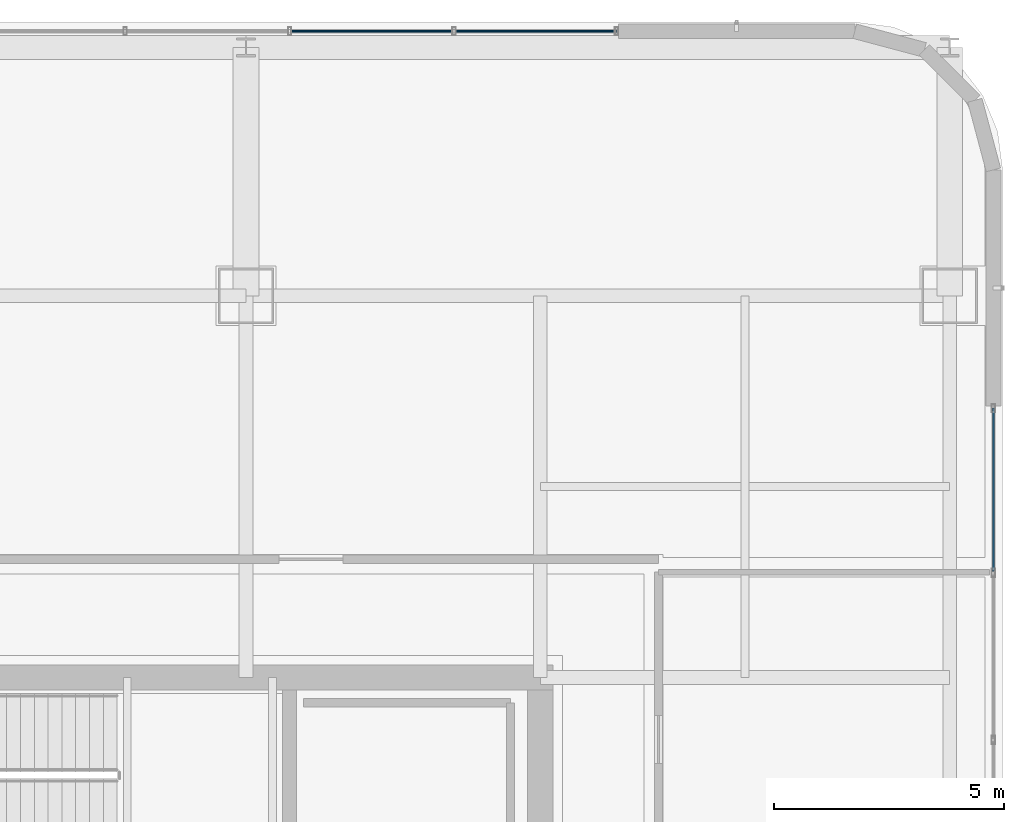
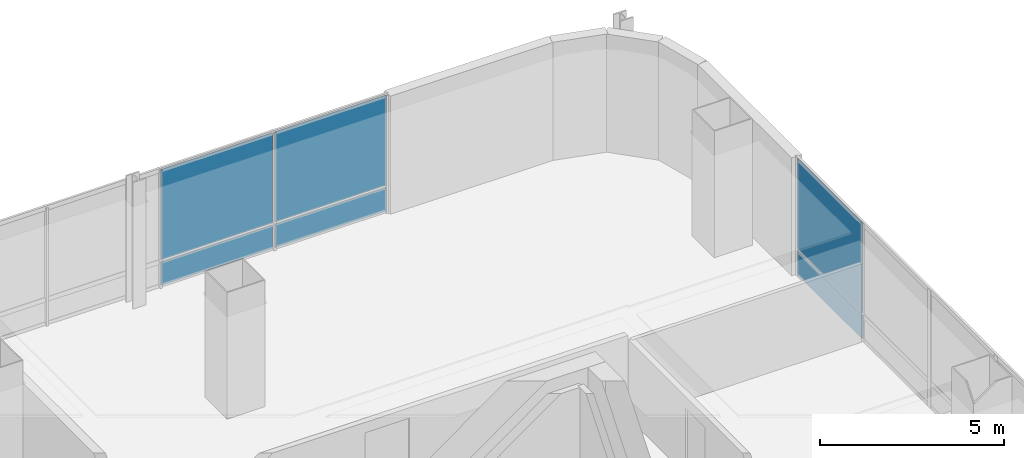
# One storey, part 31 of 51: 6 plates, 2 elements without a shape of their own.
"""IFC4 building model written with IfcOpenShell, lengths in metres."""

from ifc_helpers import new_model, si_unit, direction, frame, origin, origin_2d, place, context, subcontext, project, spatial, rectangle, extrude, material, layer, layer_set, type_object, element, aggregate, save


model = new_model("IFC4")

# Units and contexts
model_context = context("Model", 3, precision=1e-05, world=origin(), true_north=direction((0.0, 1.0)))
body_context = subcontext(model_context, "Body", "Model", "MODEL_VIEW")
ifc_project = project(units=[si_unit("LENGTHUNIT", "METRE"), si_unit("AREAUNIT", "SQUARE_METRE"), si_unit("VOLUMEUNIT", "CUBIC_METRE"), si_unit("PLANEANGLEUNIT", "RADIAN"), si_unit("MASSUNIT", "GRAM", prefix="KILO")], contexts=[model_context])

# Site, building, storey
site_placement = place(None, origin())
site = spatial("IfcSite", under=ifc_project, at=site_placement, CompositionType="ELEMENT")
building_placement = place(site_placement, origin())
building = spatial("IfcBuilding", under=site, at=building_placement, Name="Punatoya Terracotta Tower", CompositionType="ELEMENT")
storey_placement = place(building_placement, frame((0.0, 0.0, 313.199951171875)))
storey = spatial("IfcBuildingStorey", under=building, at=storey_placement, Name="L74", CompositionType="ELEMENT", Elevation=313.199951171875)

# Curtain wall, plate
ifc_material_1 = material(Name="Aluminium 6063-T6 + Double Low-E Glass", Category="aluminium")
curtain_wall_type = type_object("IfcCurtainWallType", Name="CW-M3", PredefinedType="NOTDEFINED", material=ifc_material_1)
curtain_wall_1_placement = place(storey_placement, origin())
curtain_wall_1 = element("IfcCurtainWall", 1, at=curtain_wall_1_placement, inside=storey, type_object=curtain_wall_type, Name="L74 Curtain Wall CW-L74-E05-1", PredefinedType="NOTDEFINED")
ifc_material_2 = material(Name="Double Low-E Acoustic Vision Glass", Category="glass")
ifc_layer_1 = layer(ifc_material_2, 0.031982421875)
ifc_layer_set_1 = layer_set([ifc_layer_1], Name="Double Low-E Acoustic Vision Glass")
plate_type_1 = type_object("IfcPlateType", Name="PLT-GLZ-32", PredefinedType="CURTAIN_PANEL", material=ifc_layer_set_1)
plate_1_placement = place(storey_placement, frame((20.050048828125, 13.28564453125, 0.89013671875), z_axis=(0.0, 0.0, 1.0), x_axis=(0.0, 1.0, 0.0)))
plate_1 = element("IfcPlate", 2, at=plate_1_placement, type_object=plate_type_1, Name="CW-L74-E05-1 Vision Glass Panel 7", PredefinedType="CURTAIN_PANEL", context=body_context, shape_type="SweptSolid", body=[
    extrude(rectangle(XDim=3.543701171875, YDim=0.031982421875, at=origin_2d()), origin(), (0.0, 0.0, 1.0), 2.989990234375),
])

# Curtain wall, plates
curtain_wall_2_placement = place(storey_placement, origin())
curtain_wall_2 = element("IfcCurtainWall", 3, at=curtain_wall_2_placement, inside=storey, type_object=curtain_wall_type, Name="L74 Curtain Wall CW-L74-N09-1", PredefinedType="NOTDEFINED")
plate_2_placement = place(storey_placement, frame((10.112548828125, 23.25, 0.89013671875), z_axis=(0.0, 0.0, 1.0), x_axis=(-1.0, 0.0, 0.0)))
plate_2 = element("IfcPlate", 4, at=plate_2_placement, type_object=plate_type_1, Name="CW-L74-N09-1 Vision Glass Panel 1", PredefinedType="CURTAIN_PANEL", context=body_context, shape_type="SweptSolid", body=[
    extrude(rectangle(XDim=3.489990234375, YDim=0.031982421875, at=origin_2d()), origin(), (0.0, 0.0, 1.0), 2.989990234375),
])
plate_3_placement = place(storey_placement, frame((6.53759765625, 23.25, 0.89013671875), z_axis=(0.0, 0.0, 1.0), x_axis=(-1.0, 0.0, 0.0)))
plate_3 = element("IfcPlate", 5, at=plate_3_placement, type_object=plate_type_1, Name="CW-L74-N09-1 Vision Glass Panel 2", PredefinedType="CURTAIN_PANEL", context=body_context, shape_type="SweptSolid", body=[
    extrude(rectangle(XDim=3.489990234375, YDim=0.031982421875, at=origin_2d()), origin(), (0.0, 0.0, 1.0), 2.989990234375),
])

# Plate
ifc_material_3 = material(Name="Insulated Terracotta-Backed Spandrel Panel", Category="masonry")
ifc_layer_2 = layer(ifc_material_3, 0.044921875)
ifc_layer_set_2 = layer_set([ifc_layer_2], Name="Insulated Terracotta-Backed Spandrel Panel")
plate_type_2 = type_object("IfcPlateType", Name="PLT-SPN-45", PredefinedType="CURTAIN_PANEL", material=ifc_layer_set_2)
plate_4_placement = place(storey_placement, frame((20.050048828125, 13.28564453125, 0.0400390625), z_axis=(0.0, 0.0, 1.0), x_axis=(0.0, 1.0, 0.0)))
plate_4 = element("IfcPlate", 6, at=plate_4_placement, type_object=plate_type_2, Name="CW-L74-E05-1 Terracotta Spandrel Panel 7", PredefinedType="CURTAIN_PANEL", context=body_context, shape_type="SweptSolid", body=[
    extrude(rectangle(XDim=3.543701171875, YDim=0.044921875, at=origin_2d()), origin(), (0.0, 0.0, 1.0), 0.77490234375),
])

aggregate(curtain_wall_1, [plate_4, plate_1])

plate_5_placement = place(storey_placement, frame((10.112548828125, 23.25, 0.0400390625), z_axis=(0.0, 0.0, 1.0), x_axis=(-1.0, 0.0, 0.0)))
plate_5 = element("IfcPlate", 7, at=plate_5_placement, type_object=plate_type_2, Name="CW-L74-N09-1 Terracotta Spandrel Panel 1", PredefinedType="CURTAIN_PANEL", context=body_context, shape_type="SweptSolid", body=[
    extrude(rectangle(XDim=3.489990234375, YDim=0.044921875, at=origin_2d()), origin(), (0.0, 0.0, 1.0), 0.77490234375),
])

plate_6_placement = place(storey_placement, frame((6.53759765625, 23.25, 0.0400390625), z_axis=(0.0, 0.0, 1.0), x_axis=(-1.0, 0.0, 0.0)))
plate_6 = element("IfcPlate", 8, at=plate_6_placement, type_object=plate_type_2, Name="CW-L74-N09-1 Terracotta Spandrel Panel 2", PredefinedType="CURTAIN_PANEL", context=body_context, shape_type="SweptSolid", body=[
    extrude(rectangle(XDim=3.489990234375, YDim=0.044921875, at=origin_2d()), origin(), (0.0, 0.0, 1.0), 0.77490234375),
])

aggregate(curtain_wall_2, [plate_5, plate_2, plate_6, plate_3])

save(model, "model.ifc")
